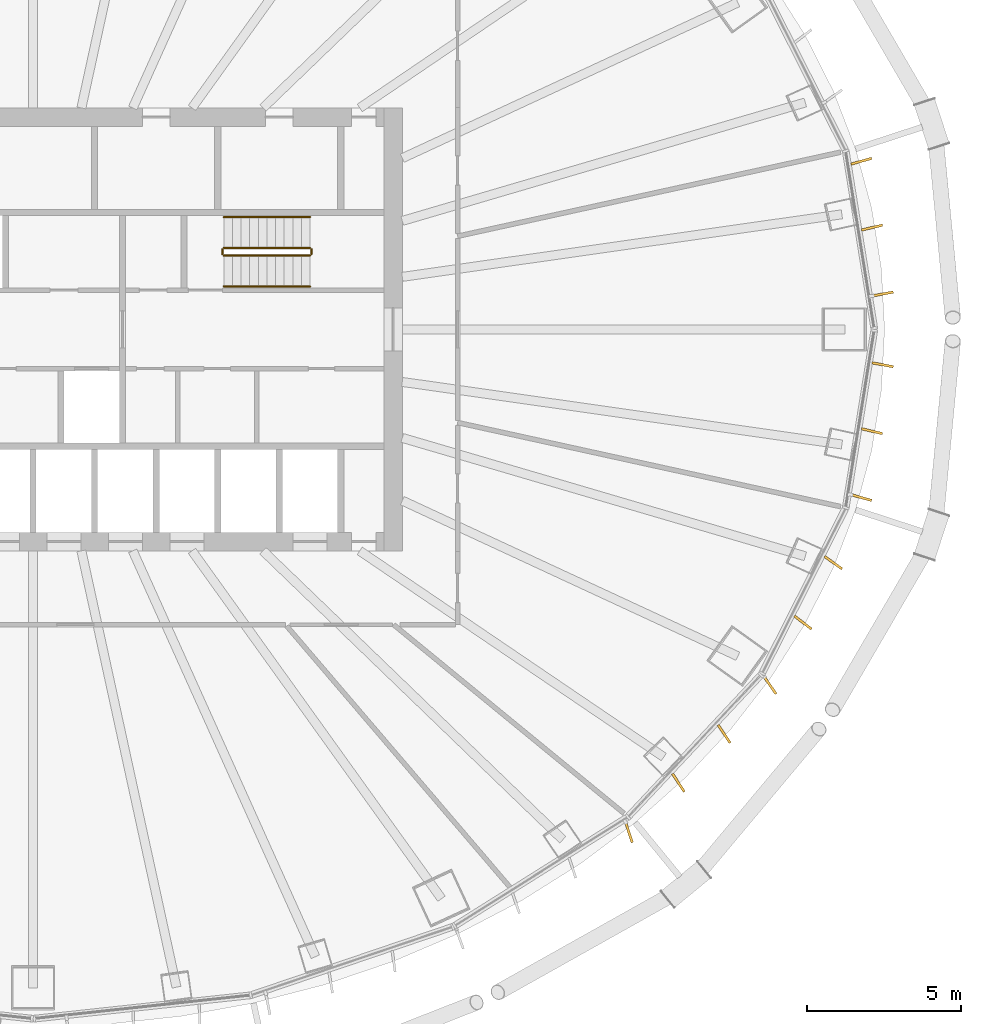
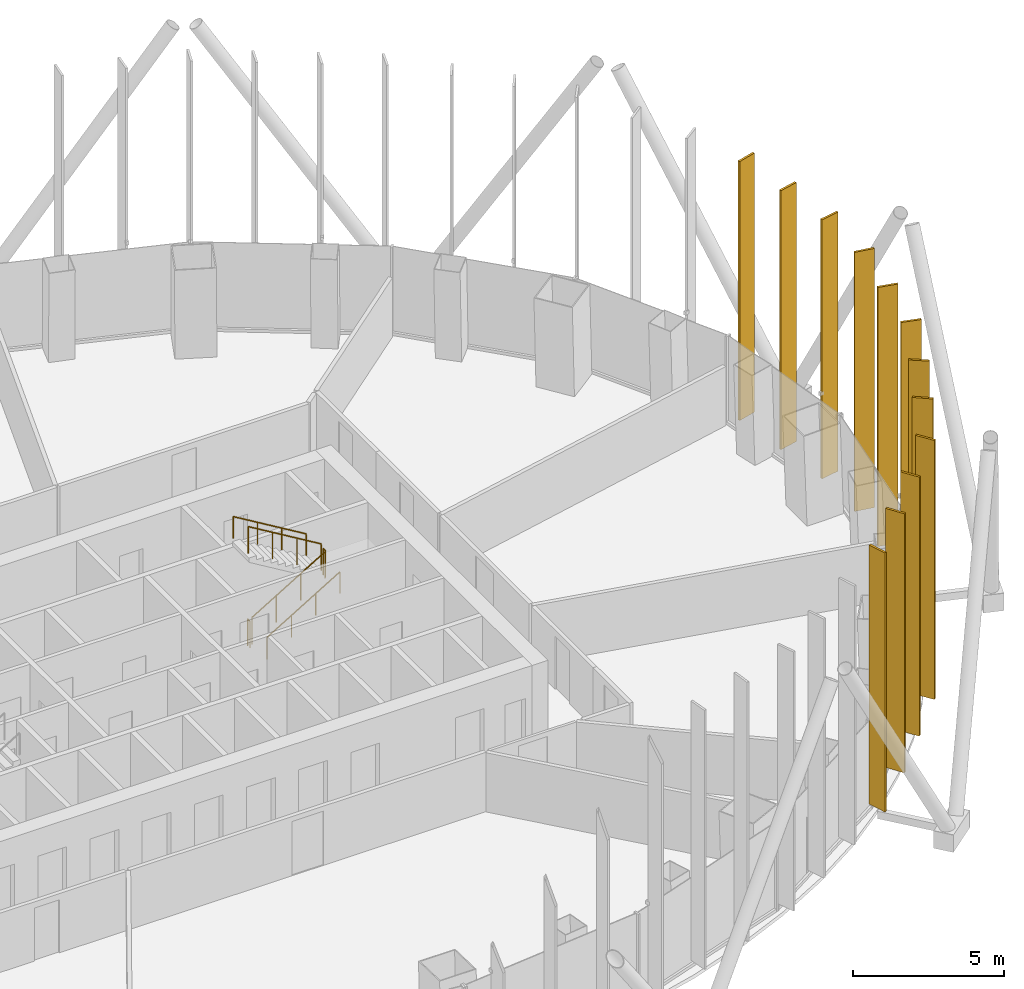
# One storey, part 18 of 19: 12 shading devices, 6 railings.
"""IFC4 building model written with IfcOpenShell, lengths in metres."""

from ifc_helpers import new_model, si_unit, direction, frame, origin, origin_2d, place, context, subcontext, project, spatial, rectangle, circle, extrude, material, layer, layer_set, type_object, element, save


model = new_model("IFC4")

# Units and contexts
model_context = context("Model", 3, precision=1e-05, world=origin(), true_north=direction((0.0, 1.0)))
body_context = subcontext(model_context, "Body", "Model", "MODEL_VIEW")
ifc_project = project(units=[si_unit("LENGTHUNIT", "METRE"), si_unit("AREAUNIT", "SQUARE_METRE"), si_unit("VOLUMEUNIT", "CUBIC_METRE"), si_unit("PLANEANGLEUNIT", "RADIAN"), si_unit("MASSUNIT", "GRAM", prefix="KILO")], contexts=[model_context])

# Site, building, storey
site_placement = place(None, origin())
site = spatial("IfcSite", under=ifc_project, at=site_placement, CompositionType="ELEMENT")
building_placement = place(site_placement, origin())
building = spatial("IfcBuilding", under=site, at=building_placement, Name="Siaravel Broadcast Tower", CompositionType="ELEMENT")
storey_placement = place(building_placement, frame((0.0, 0.0, 59.300048828125)))
storey = spatial("IfcBuildingStorey", under=building, at=storey_placement, Name="L13", CompositionType="ELEMENT", Elevation=59.300048828125)

# Shading devices
ifc_material_1 = material(Name="Bronze anodised aluminium", Category="aluminium")
ifc_layer = layer(ifc_material_1, 0.080078125)
ifc_layer_set = layer_set([ifc_layer], Name="Bronze anodised aluminium")
shading_device_type = type_object("IfcShadingDeviceType", Name="Bronze fin zone 1", PredefinedType="USERDEFINED", material=ifc_layer_set)
for number, where, z_axis, x_axis, name in (
    (1, (27.616455078125, 1.150634765625, 0.300048828125), (0.0, 0.0, 1.0), (0.983333695, 0.181809915, 0.0), "Bronze fin L13-01"),
    (2, (27.268798828125, 3.30908203125, 0.300048828125), (0.0, 0.0, 1.0), (0.973818688, 0.227326117, 0.0), "Bronze fin L13-02"),
    (3, (26.920654296875, 5.466796875, 0.300048828125), (0.0, 0.0, 1.0), (0.962942588, 0.269706456, 0.0), "Bronze fin L13-03"),
    (4, (19.36572265625, -16.346435546875, 0.300048828125), (0.0, 0.0, 1.0), (0.311535645, -0.950234467, 0.0), "Bronze fin L13-64"),
    (5, (20.9755859375, -14.73779296875, 0.300048828125), (0.0, 0.0, 1.0), (0.545512602, -0.83810262, 0.0), "Bronze fin L13-65"),
    (6, (22.462646484375, -13.151611328125, 0.300048828125), (0.0, 0.0, 1.0), (0.554734068, -0.832027712, 0.0), "Bronze fin L13-66"),
    (7, (23.95166015625, -11.564208984375, 0.300048828125), (0.0, 0.0, 1.0), (0.569850481, -0.821748398, 0.0), "Bronze fin L13-67"),
    (8, (25.025634765625, -9.530029296875, 0.300048828125), (0.0, 0.0, 1.0), (0.793975544, -0.607949698, 0.0), "Bronze fin L13-68"),
    (9, (26.011962890625, -7.583984375, 0.300048828125), (0.0, 0.0, 1.0), (0.813688608, -0.581300998, 0.0), "Bronze fin L13-69"),
    (10, (26.920654296875, -5.466796875, 0.300048828125), (0.0, 0.0, 1.0), (0.962942588, -0.269706456, 0.0), "Bronze fin L13-70"),
    (11, (27.268798828125, -3.30908203125, 0.300048828125), (0.0, 0.0, 1.0), (0.973818688, -0.227326117, 0.0), "Bronze fin L13-71"),
    (12, (27.616455078125, -1.150634765625, 0.300048828125), (0.0, 0.0, 1.0), (0.983333695, -0.181809915, 0.0), "Bronze fin L13-72"),
):
    element("IfcShadingDevice", number, at=place(storey_placement, frame(where, z_axis=z_axis, x_axis=x_axis)), inside=storey, type_object=shading_device_type, Name=name, ObjectType="FIN", PredefinedType="USERDEFINED", context=body_context, shape_type="SweptSolid", body=[
        extrude(rectangle(XDim=0.699951171875, YDim=0.080078125, at=origin_2d()), origin(), (0.0, 0.0, 1.0), 10.5),
    ])

# Railings
ifc_material_2 = material(Name="Stainless steel 316L", Category="steel")
railing_type_1 = type_object("IfcRailingType", Name="Stair guard 1100", PredefinedType="GUARDRAIL", material=ifc_material_2)
railing_1_placement = place(storey_placement, frame((6.199951171875, 2.39990234375, 0.168212890625)))
element("IfcRailing", 13, at=railing_1_placement, inside=storey, type_object=railing_type_1, Name="L13 ST-2 stair guard 1", PredefinedType="GUARDRAIL", context=body_context, shape_type="SweptSolid", body=[
    extrude(circle(Radius=0.02392578125, at=origin_2d()), frame((0.0, 0.0, 1.076171875), z_axis=(0.857275203, 0.0, 0.514858453), x_axis=(0.0, 1.0, 0.0)), (0.0, 0.0, 1.0), 3.26611328125),
    extrude(circle(Radius=0.02099609375, at=origin_2d()), origin(), (0.0, 0.0, 1.0), 1.052001953125),
    extrude(circle(Radius=0.02099609375, at=origin_2d()), frame((0.933349609375, 0.0, 0.560546875)), (0.0, 0.0, 1.0), 1.052001953125),
    extrude(circle(Radius=0.02099609375, at=origin_2d()), frame((1.86669921875, 0.0, 1.12109375)), (0.0, 0.0, 1.0), 1.052001953125),
    extrude(circle(Radius=0.02099609375, at=origin_2d()), frame((2.800048828125, 0.0, 1.681640625)), (0.0, 0.0, 1.0), 1.052001953125),
])
railing_2_placement = place(storey_placement, frame((9.050048828125, 2.449951171875, 1.849853515625)))
element("IfcRailing", 14, at=railing_2_placement, inside=storey, type_object=railing_type_1, Name="L13 ST-2 stair guard 2", PredefinedType="GUARDRAIL", context=body_context, shape_type="SweptSolid", body=[
    extrude(circle(Radius=0.02392578125, at=origin_2d()), frame((0.0, 0.0, 1.076171875), z_axis=(0.0, 1.0, 0.0), x_axis=(-1.0, 0.0, 0.0)), (0.0, 0.0, 1.0), 0.150146484375),
    extrude(circle(Radius=0.02099609375, at=origin_2d()), origin(), (0.0, 0.0, 1.0), 1.052001953125),
    extrude(circle(Radius=0.02099609375, at=origin_2d()), frame((0.0, 0.150146484375, 0.0)), (0.0, 0.0, 1.0), 1.052001953125),
])
railing_3_placement = place(storey_placement, frame((9.0, 2.64990234375, 2.01806640625)))
element("IfcRailing", 15, at=railing_3_placement, inside=storey, type_object=railing_type_1, Name="L13 ST-2 stair guard 3", PredefinedType="GUARDRAIL", context=body_context, shape_type="SweptSolid", body=[
    extrude(circle(Radius=0.02392578125, at=origin_2d()), frame((0.0, 0.0, 1.076171875), z_axis=(-0.857242211, 0.0, 0.514913383), x_axis=(0.0, -1.0, 0.0)), (0.0, 0.0, 1.0), 3.266357421875),
    extrude(circle(Radius=0.02099609375, at=origin_2d()), origin(), (0.0, 0.0, 1.0), 1.052001953125),
    extrude(circle(Radius=0.02099609375, at=origin_2d()), frame((-0.933349609375, 0.0, 0.560546875)), (0.0, 0.0, 1.0), 1.052001953125),
    extrude(circle(Radius=0.02099609375, at=origin_2d()), frame((-1.86669921875, 0.0, 1.121337890625)), (0.0, 0.0, 1.0), 1.052001953125),
    extrude(circle(Radius=0.02099609375, at=origin_2d()), frame((-2.800048828125, 0.0, 1.681884765625)), (0.0, 0.0, 1.0), 1.052001953125),
])
railing_4_placement = place(storey_placement, frame((6.14990234375, 2.449951171875, 0.0)))
element("IfcRailing", 16, at=railing_4_placement, inside=storey, type_object=railing_type_1, Name="L13 ST-2 stair guard 4", PredefinedType="GUARDRAIL", context=body_context, shape_type="SweptSolid", body=[
    extrude(circle(Radius=0.02392578125, at=origin_2d()), frame((0.0, 0.0, 1.076171875), z_axis=(0.0, 1.0, 0.0), x_axis=(-1.0, 0.0, 0.0)), (0.0, 0.0, 1.0), 0.150146484375),
    extrude(circle(Radius=0.02099609375, at=origin_2d()), origin(), (0.0, 0.0, 1.0), 1.052001953125),
    extrude(circle(Radius=0.02099609375, at=origin_2d()), frame((0.0, 0.150146484375, 0.0)), (0.0, 0.0, 1.0), 1.052001953125),
])
railing_type_2 = type_object("IfcRailingType", Name="Stair handrail 900", PredefinedType="HANDRAIL", material=ifc_material_2)
railing_5_placement = place(storey_placement, frame((6.199951171875, 1.39990234375, 0.168212890625)))
element("IfcRailing", 17, at=railing_5_placement, inside=storey, type_object=railing_type_2, Name="L13 ST-2 stair handrail 1", PredefinedType="HANDRAIL", context=body_context, shape_type="SweptSolid", body=[
    extrude(circle(Radius=0.02392578125, at=origin_2d()), frame((0.0, 0.0, 0.8759765625), z_axis=(0.857275203, 0.0, 0.514858453), x_axis=(0.0, 1.0, 0.0)), (0.0, 0.0, 1.0), 3.26611328125),
    extrude(circle(Radius=0.02099609375, at=origin_2d()), origin(), (0.0, 0.0, 1.0), 0.851806640625),
    extrude(circle(Radius=0.02099609375, at=origin_2d()), frame((0.933349609375, 0.0, 0.560546875)), (0.0, 0.0, 1.0), 0.851806640625),
    extrude(circle(Radius=0.02099609375, at=origin_2d()), frame((1.86669921875, 0.0, 1.12109375)), (0.0, 0.0, 1.0), 0.851806640625),
    extrude(circle(Radius=0.02099609375, at=origin_2d()), frame((2.800048828125, 0.0, 1.681640625)), (0.0, 0.0, 1.0), 0.851806640625),
])
railing_6_placement = place(storey_placement, frame((9.0, 3.64990234375, 2.01806640625)))
element("IfcRailing", 18, at=railing_6_placement, inside=storey, type_object=railing_type_2, Name="L13 ST-2 stair handrail 2", PredefinedType="HANDRAIL", context=body_context, shape_type="SweptSolid", body=[
    extrude(circle(Radius=0.02392578125, at=origin_2d()), frame((0.0, 0.0, 0.8759765625), z_axis=(-0.857242211, 0.0, 0.514913383), x_axis=(0.0, -1.0, 0.0)), (0.0, 0.0, 1.0), 3.266357421875),
    extrude(circle(Radius=0.02099609375, at=origin_2d()), origin(), (0.0, 0.0, 1.0), 0.851806640625),
    extrude(circle(Radius=0.02099609375, at=origin_2d()), frame((-0.933349609375, 0.0, 0.560546875)), (0.0, 0.0, 1.0), 0.851806640625),
    extrude(circle(Radius=0.02099609375, at=origin_2d()), frame((-1.86669921875, 0.0, 1.121337890625)), (0.0, 0.0, 1.0), 0.851806640625),
    extrude(circle(Radius=0.02099609375, at=origin_2d()), frame((-2.800048828125, 0.0, 1.681884765625)), (0.0, 0.0, 1.0), 0.851806640625),
])

save(model, "model.ifc")
